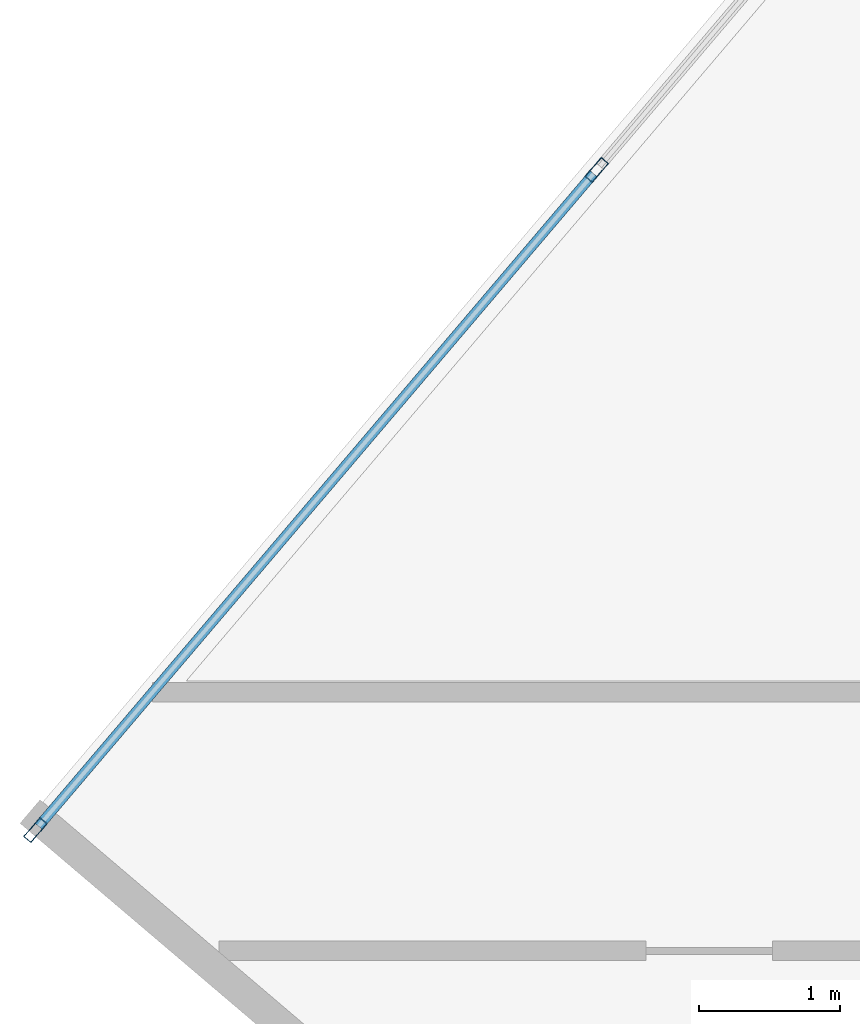
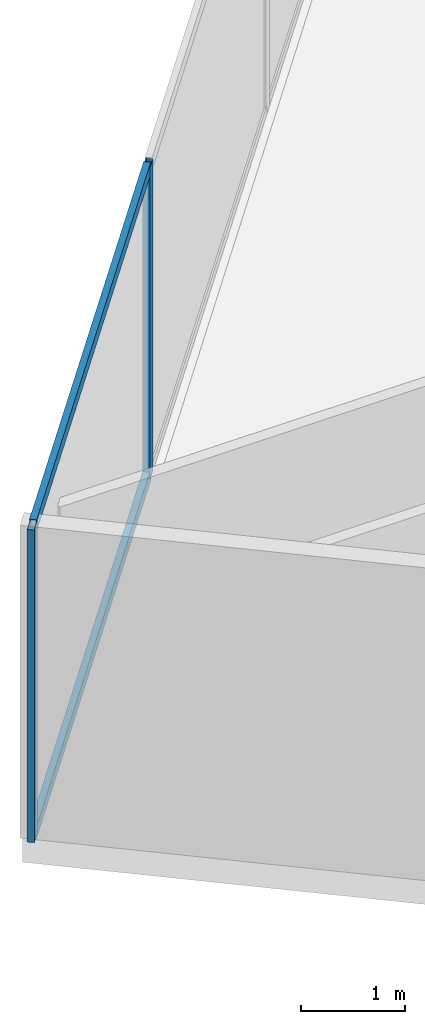
# One storey, part 8 of 26: 4 members, 1 element without a shape of its own.
"""IFC4 building model written with IfcOpenShell, lengths in metres."""

from ifc_helpers import new_model, si_unit, direction, frame, origin, origin_2d, place, context, subcontext, project, spatial, hollow_rectangle, extrude, source, transform, mapped, material, material_profile, profile_set, type_object, type_shapes, element, aggregate, save


model = new_model("IFC4")

# Units and contexts
model_context = context("Model", 3, precision=1e-05, world=origin(), true_north=direction((0.0, 1.0)))
body_context = subcontext(model_context, "Body", "Model", "MODEL_VIEW")
ifc_project = project(units=[si_unit("LENGTHUNIT", "METRE"), si_unit("AREAUNIT", "SQUARE_METRE"), si_unit("VOLUMEUNIT", "CUBIC_METRE"), si_unit("PLANEANGLEUNIT", "RADIAN"), si_unit("MASSUNIT", "GRAM", prefix="KILO")], contexts=[model_context])

# Site, building, storey
site_placement = place(None, origin())
site = spatial("IfcSite", under=ifc_project, at=site_placement, CompositionType="ELEMENT")
building_placement = place(site_placement, origin())
building = spatial("IfcBuilding", under=site, at=building_placement, Name="Krantzveldt Concourse Tower", CompositionType="ELEMENT")
storey_placement = place(building_placement, frame((0.0, 0.0, 207.300048828125)))
storey = spatial("IfcBuildingStorey", under=building, at=storey_placement, Name="L50", CompositionType="ELEMENT", Elevation=207.300048828125)

# Curtain wall, members
ifc_material = material(Name="Anodised aluminium 6063-T6", Category="aluminium")
curtain_wall_type = type_object("IfcCurtainWallType", Name="CW3", PredefinedType="USERDEFINED", material=ifc_material)
curtain_wall_placement = place(storey_placement, origin())
curtain_wall = element("IfcCurtainWall", 1, at=curtain_wall_placement, inside=storey, type_object=curtain_wall_type, Name="CW-L50-F01", ObjectType="UNITISED CURTAIN WALL", PredefinedType="USERDEFINED")
ifc_material_profile_1 = material_profile(ifc_material, hollow_rectangle(XDim=0.070068359375, YDim=0.179931640625, WallThickness=0.0048828125, at=origin_2d()), Name="Anodised aluminium 6063-T6", Category="aluminium")
ifc_profile_set_1 = profile_set([ifc_material_profile_1], Name="Anodised aluminium 6063-T6 - ALU-MULL 180x70x5")
member_type_1 = type_object("IfcMemberType", Name="CW-MUL-180", PredefinedType="MULLION", material=ifc_profile_set_1)
shared_shape_1 = source(origin(), body_context, "Body", "SweptSolid", [
    extrude(hollow_rectangle(XDim=0.070068359375, YDim=0.179931640625, WallThickness=0.0048828125, at=origin_2d()), origin(), (0.0, 0.0, 1.0), 3.669921875),
])
type_shapes(member_type_1, [shared_shape_1])
member_1_placement = place(storey_placement, frame((14.4267578125, 32.83642578125, 0.0), z_axis=(0.0, 0.0, 1.0), x_axis=(0.761820912327, -0.647787694805, 0.0)))
member_1 = element("IfcMember", 2, at=member_1_placement, type_object=member_type_1, Name="CW-Z34 mullion 5", PredefinedType="MULLION", context=body_context, shape_type="MappedRepresentation", body=[
    mapped(shared_shape_1, transform((0.0, 0.0, 0.0), x_axis=(1.0, 0.0, 0.0), y_axis=(0.0, 1.0, 0.0), z_axis=(0.0, 0.0, 1.0), scale=1.0)),
])
member_2_placement = place(storey_placement, frame((10.43310546875, 28.139892578125, 0.0), z_axis=(0.0, 0.0, 1.0), x_axis=(0.761820912327, -0.647787694805, 0.0)))
member_2 = element("IfcMember", 3, at=member_2_placement, type_object=member_type_1, Name="CW-Z34 mullion 6", PredefinedType="MULLION", context=body_context, shape_type="MappedRepresentation", body=[
    mapped(shared_shape_1, transform((0.0, 0.0, 0.0), x_axis=(1.0, 0.0, 0.0), y_axis=(0.0, 1.0, 0.0), z_axis=(0.0, 0.0, 1.0), scale=1.0)),
])
ifc_material_profile_2 = material_profile(ifc_material, hollow_rectangle(XDim=0.070068359375, YDim=0.139892578125, WallThickness=0.0048828125, at=origin_2d()), Name="Anodised aluminium 6063-T6", Category="aluminium")
ifc_profile_set_2 = profile_set([ifc_material_profile_2], Name="Anodised aluminium 6063-T6 - ALU-TRAN 140x70x5")
member_type_2 = type_object("IfcMemberType", Name="CW-TRN-150", PredefinedType="USERDEFINED", material=ifc_profile_set_2)
shared_shape_2 = source(origin(), body_context, "Body", "SweptSolid", [
    extrude(hollow_rectangle(XDim=0.070068359375, YDim=0.139892578125, WallThickness=0.0048828125, at=origin_2d()), origin(), (0.0, 0.0, 1.0), 6.094970703125),
])
type_shapes(member_type_2, [shared_shape_2])
member_3_placement = place(storey_placement, frame((14.404052734375, 32.809814453125, 0.034912109375), z_axis=(-0.64778444877, -0.761823672468, 0.0), x_axis=(0.761823672468, -0.64778444877, 0.0)))
member_3 = element("IfcMember", 4, at=member_3_placement, type_object=member_type_2, Name="CW-Z34 transom 5.1", ObjectType="TRANSOM", PredefinedType="USERDEFINED", context=body_context, shape_type="MappedRepresentation", body=[
    mapped(shared_shape_2, transform((0.0, 0.0, 0.0), x_axis=(1.0, 0.0, 0.0), y_axis=(0.0, 1.0, 0.0), z_axis=(0.0, 0.0, 1.0), scale=1.0)),
])
member_4_placement = place(storey_placement, frame((14.404052734375, 32.809814453125, 3.635009765625), z_axis=(-0.64778444877, -0.761823672468, 0.0), x_axis=(0.761823672468, -0.64778444877, 0.0)))
member_4 = element("IfcMember", 5, at=member_4_placement, type_object=member_type_2, Name="CW-Z34 transom 5.2", ObjectType="TRANSOM", PredefinedType="USERDEFINED", context=body_context, shape_type="MappedRepresentation", body=[
    mapped(shared_shape_2, transform((0.0, 0.0, 0.0), x_axis=(1.0, 0.0, 0.0), y_axis=(0.0, 1.0, 0.0), z_axis=(0.0, 0.0, 1.0), scale=1.0)),
])
aggregate(curtain_wall, [member_1, member_2, member_3, member_4])

save(model, "model.ifc")
